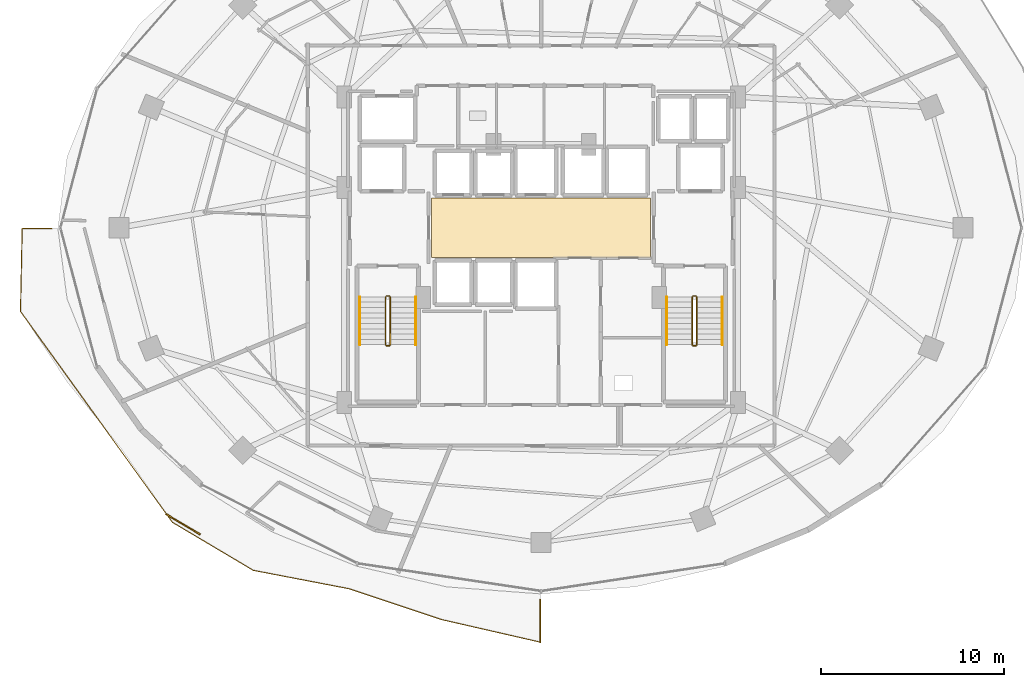
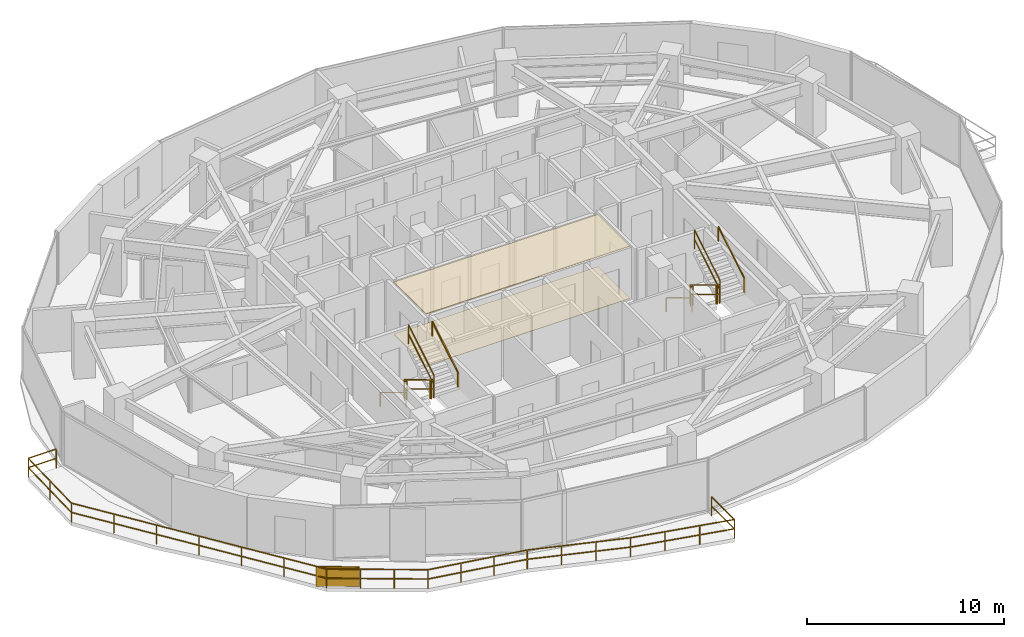
# One storey, part 29 of 31: 14 railings, 2 coverings, 1 shading device.
"""IFC4 building model written with IfcOpenShell, lengths in metres."""

from ifc_helpers import new_model, si_unit, direction, frame, origin, origin_2d, place, context, subcontext, project, spatial, polyline, rectangle, outline, extrude, material, layer, layer_set, type_object, element, save


model = new_model("IFC4")

# Units and contexts
model_context = context("Model", 3, precision=1e-05, world=origin(), true_north=direction((0.0, 1.0)))
body_context = subcontext(model_context, "Body", "Model", "MODEL_VIEW")
ifc_project = project(units=[si_unit("LENGTHUNIT", "METRE"), si_unit("AREAUNIT", "SQUARE_METRE"), si_unit("VOLUMEUNIT", "CUBIC_METRE"), si_unit("PLANEANGLEUNIT", "RADIAN"), si_unit("MASSUNIT", "GRAM", prefix="KILO")], contexts=[model_context])

# Site, building, storey
site_placement = place(None, origin())
site = spatial("IfcSite", under=ifc_project, at=site_placement, CompositionType="ELEMENT")
building_placement = place(site_placement, origin())
building = spatial("IfcBuilding", under=site, at=building_placement, Name="Vorneva Point Tower", CompositionType="ELEMENT")
storey_placement = place(building_placement, frame((0.0, 0.0, 99.800048828125)))
storey = spatial("IfcBuildingStorey", under=building, at=storey_placement, Name="L26", CompositionType="ELEMENT", Elevation=99.800048828125)

# Coverings
ifc_material_1 = material(Name="Perforated acoustic aluminium baffle ceiling", Category="aluminium")
ifc_layer_1 = layer(ifc_material_1, 0.030029296875)
ifc_layer_set_1 = layer_set([ifc_layer_1], Name="Perforated acoustic aluminium baffle ceiling")
covering_type_1 = type_object("IfcCoveringType", Name="COV-CEIL-BAF", PredefinedType="CEILING", material=ifc_layer_set_1)
covering_1_placement = place(storey_placement, frame((0.0, 0.0, 3.2099609375)))
element("IfcCovering", 1, at=covering_1_placement, inside=storey, type_object=covering_type_1, Name="L26 Lift Lobby Acoustic Baffle Ceiling", PredefinedType="CEILING", context=body_context, shape_type="SweptSolid", body=[
    extrude(outline(polyline([(32.02001953125, 24.3701171875), (43.97998046875, 24.3701171875), (43.97998046875, 27.6298828125), (32.02001953125, 27.6298828125), (32.02001953125, 24.3701171875)])), origin(), (0.0, 0.0, 1.0), 0.034912109375),
])
ifc_material_2 = material(Name="Acoustic wool hospitality carpet", Category="textile")
ifc_layer_2 = layer(ifc_material_2, 0.01806640625)
ifc_layer_set_2 = layer_set([ifc_layer_2], Name="Acoustic wool hospitality carpet")
covering_type_2 = type_object("IfcCoveringType", Name="COV-FLR-CRP", PredefinedType="FLOORING", material=ifc_layer_set_2)
covering_2_placement = place(storey_placement, frame((0.0, 0.0, -0.005126953125)))
element("IfcCovering", 2, at=covering_2_placement, inside=storey, type_object=covering_type_2, Name="L26 Lift Lobby Floor Finish", PredefinedType="FLOORING", context=body_context, shape_type="SweptSolid", body=[
    extrude(outline(polyline([(32.02001953125, 24.3701171875), (43.97998046875, 24.3701171875), (43.97998046875, 27.6298828125), (32.02001953125, 27.6298828125), (32.02001953125, 24.3701171875)])), origin(), (0.0, 0.0, 1.0), 0.023193359375),
])

# Railings
ifc_material_3 = material(Name="Pale anodised aluminium", Category="aluminium")
railing_type_1 = type_object("IfcRailingType", Name="RL-BAL-1200", PredefinedType="BALUSTRADE", material=ifc_material_3)
railing_1_placement = place(storey_placement, frame((37.949951171875, 3.361328125, 0.0)))
element("IfcRailing", 3, at=railing_1_placement, inside=storey, type_object=railing_type_1, Name="L26 Wave Balcony Balustrade SW.1", PredefinedType="BALUSTRADE", context=body_context, shape_type="SweptSolid", body=[
    extrude(rectangle(XDim=0.048095703125, YDim=0.048095703125, at=origin_2d()), frame((0.0, 0.0, 1.17578125), z_axis=(0.0, 1.0, 0.0), x_axis=(-1.0, 0.0, 0.0)), (0.0, 0.0, 1.0), 2.321533203125),
    extrude(rectangle(XDim=0.048095703125, YDim=0.048095703125, at=origin_2d()), frame((0.0, 0.0, 0.60009765625), z_axis=(0.0, 1.0, 0.0), x_axis=(-1.0, 0.0, 0.0)), (0.0, 0.0, 1.0), 2.321533203125),
    extrude(rectangle(XDim=0.0419921875, YDim=0.0419921875, at=origin_2d()), origin(), (0.0, 0.0, 1.0), 1.15185546875),
    extrude(rectangle(XDim=0.0419921875, YDim=0.0419921875, at=origin_2d()), frame((0.0, 2.321533203125, 0.0)), (0.0, 0.0, 1.0), 1.15185546875),
])
railing_2_placement = place(storey_placement, frame((11.28369140625, 25.949951171875, 0.0)))
element("IfcRailing", 4, at=railing_2_placement, inside=storey, type_object=railing_type_1, Name="L26 Wave Balcony Balustrade SW.2", PredefinedType="BALUSTRADE", context=body_context, shape_type="SweptSolid", body=[
    extrude(rectangle(XDim=0.048095703125, YDim=0.048095703125, at=origin_2d()), frame((0.0, 0.0, 1.17578125), z_axis=(-1.0, 0.0, 0.0), x_axis=(0.0, -1.0, 0.0)), (0.0, 0.0, 1.0), 1.634765625),
    extrude(rectangle(XDim=0.048095703125, YDim=0.048095703125, at=origin_2d()), frame((0.0, 0.0, 0.60009765625), z_axis=(-1.0, 0.0, 0.0), x_axis=(0.0, -1.0, 0.0)), (0.0, 0.0, 1.0), 1.634765625),
    extrude(rectangle(XDim=0.048095703125, YDim=0.048095703125, at=origin_2d()), frame((-1.634765625, 0.0, 1.17578125), z_axis=(-0.020299288543, -0.999793948214, 0.0), x_axis=(0.999793948214, -0.020299288543, 0.0)), (0.0, 0.0, 1.0), 4.522216796875),
    extrude(rectangle(XDim=0.048095703125, YDim=0.048095703125, at=origin_2d()), frame((-1.634765625, 0.0, 0.60009765625), z_axis=(-0.020299288543, -0.999793948214, 0.0), x_axis=(0.999793948214, -0.020299288543, 0.0)), (0.0, 0.0, 1.0), 4.522216796875),
    extrude(rectangle(XDim=0.048095703125, YDim=0.048095703125, at=origin_2d()), frame((-1.7265625, -4.521240234375, 1.17578125), z_axis=(0.58451761401, -0.811381019566, 0.0), x_axis=(0.811381019566, 0.58451761401, 0.0)), (0.0, 0.0, 1.0), 14.19775390625),
    extrude(rectangle(XDim=0.048095703125, YDim=0.048095703125, at=origin_2d()), frame((-1.7265625, -4.521240234375, 0.60009765625), z_axis=(0.58451761401, -0.811381019566, 0.0), x_axis=(0.811381019566, 0.58451761401, 0.0)), (0.0, 0.0, 1.0), 14.19775390625),
    extrude(rectangle(XDim=0.048095703125, YDim=0.048095703125, at=origin_2d()), frame((6.572265625, -16.041015625, 1.17578125), z_axis=(0.859813701546, -0.510607871692, 0.0), x_axis=(0.510607871692, 0.859813701546, 0.0)), (0.0, 0.0, 1.0), 5.141357421875),
    extrude(rectangle(XDim=0.048095703125, YDim=0.048095703125, at=origin_2d()), frame((6.572265625, -16.041015625, 0.60009765625), z_axis=(0.859813701546, -0.510607871692, 0.0), x_axis=(0.510607871692, 0.859813701546, 0.0)), (0.0, 0.0, 1.0), 5.141357421875),
    extrude(rectangle(XDim=0.048095703125, YDim=0.048095703125, at=origin_2d()), frame((10.992919921875, -18.666259765625, 1.17578125), z_axis=(0.982038802022, -0.18867906965, 0.0), x_axis=(0.18867906965, 0.982038802022, 0.0)), (0.0, 0.0, 1.0), 5.325927734375),
    extrude(rectangle(XDim=0.048095703125, YDim=0.048095703125, at=origin_2d()), frame((10.992919921875, -18.666259765625, 0.60009765625), z_axis=(0.982038802022, -0.18867906965, 0.0), x_axis=(0.18867906965, 0.982038802022, 0.0)), (0.0, 0.0, 1.0), 5.325927734375),
    extrude(rectangle(XDim=0.048095703125, YDim=0.048095703125, at=origin_2d()), frame((16.22314453125, -19.671142578125, 1.17578125), z_axis=(0.948856695911, -0.315707096252, 0.0), x_axis=(0.315707096252, 0.948856695911, 0.0)), (0.0, 0.0, 1.0), 5.345947265625),
    extrude(rectangle(XDim=0.048095703125, YDim=0.048095703125, at=origin_2d()), frame((16.22314453125, -19.671142578125, 0.60009765625), z_axis=(0.948856695911, -0.315707096252, 0.0), x_axis=(0.315707096252, 0.948856695911, 0.0)), (0.0, 0.0, 1.0), 5.345947265625),
    extrude(rectangle(XDim=0.048095703125, YDim=0.048095703125, at=origin_2d()), frame((21.295654296875, -21.35888671875, 1.17578125), z_axis=(0.974772904906, -0.22319897818, 0.0), x_axis=(0.22319897818, 0.974772904906, 0.0)), (0.0, 0.0, 1.0), 5.509521484375),
    extrude(rectangle(XDim=0.048095703125, YDim=0.048095703125, at=origin_2d()), frame((21.295654296875, -21.35888671875, 0.60009765625), z_axis=(0.974772904906, -0.22319897818, 0.0), x_axis=(0.22319897818, 0.974772904906, 0.0)), (0.0, 0.0, 1.0), 5.509521484375),
    extrude(rectangle(XDim=0.0419921875, YDim=0.0419921875, at=origin_2d()), origin(), (0.0, 0.0, 1.0), 1.15185546875),
    extrude(rectangle(XDim=0.0419921875, YDim=0.0419921875, at=origin_2d()), frame((-1.634765625, 0.0, 0.0)), (0.0, 0.0, 1.0), 1.15185546875),
    extrude(rectangle(XDim=0.0419921875, YDim=0.0419921875, at=origin_2d()), frame((-1.6806640625, -2.2607421875, 0.0)), (0.0, 0.0, 1.0), 1.15185546875),
    extrude(rectangle(XDim=0.0419921875, YDim=0.0419921875, at=origin_2d()), frame((-1.7265625, -4.521240234375, 0.0)), (0.0, 0.0, 1.0), 1.15185546875),
    extrude(rectangle(XDim=0.0419921875, YDim=0.0419921875, at=origin_2d()), frame((-0.343505859375, -6.441162109375, 0.0)), (0.0, 0.0, 1.0), 1.15185546875),
    extrude(rectangle(XDim=0.0419921875, YDim=0.0419921875, at=origin_2d()), frame((1.039794921875, -8.361083984375, 0.0)), (0.0, 0.0, 1.0), 1.15185546875),
    extrude(rectangle(XDim=0.0419921875, YDim=0.0419921875, at=origin_2d()), frame((2.4228515625, -10.28125, 0.0)), (0.0, 0.0, 1.0), 1.15185546875),
    extrude(rectangle(XDim=0.0419921875, YDim=0.0419921875, at=origin_2d()), frame((3.805908203125, -12.201171875, 0.0)), (0.0, 0.0, 1.0), 1.15185546875),
    extrude(rectangle(XDim=0.0419921875, YDim=0.0419921875, at=origin_2d()), frame((5.189208984375, -14.12109375, 0.0)), (0.0, 0.0, 1.0), 1.15185546875),
    extrude(rectangle(XDim=0.0419921875, YDim=0.0419921875, at=origin_2d()), frame((6.572265625, -16.041015625, 0.0)), (0.0, 0.0, 1.0), 1.15185546875),
    extrude(rectangle(XDim=0.0419921875, YDim=0.0419921875, at=origin_2d()), frame((8.0458984375, -16.916015625, 0.0)), (0.0, 0.0, 1.0), 1.15185546875),
    extrude(rectangle(XDim=0.0419921875, YDim=0.0419921875, at=origin_2d()), frame((9.519287109375, -17.791259765625, 0.0)), (0.0, 0.0, 1.0), 1.15185546875),
    extrude(rectangle(XDim=0.0419921875, YDim=0.0419921875, at=origin_2d()), frame((10.992919921875, -18.666259765625, 0.0)), (0.0, 0.0, 1.0), 1.15185546875),
    extrude(rectangle(XDim=0.0419921875, YDim=0.0419921875, at=origin_2d()), frame((12.736328125, -19.001220703125, 0.0)), (0.0, 0.0, 1.0), 1.15185546875),
    extrude(rectangle(XDim=0.0419921875, YDim=0.0419921875, at=origin_2d()), frame((14.479736328125, -19.336181640625, 0.0)), (0.0, 0.0, 1.0), 1.15185546875),
    extrude(rectangle(XDim=0.0419921875, YDim=0.0419921875, at=origin_2d()), frame((16.22314453125, -19.671142578125, 0.0)), (0.0, 0.0, 1.0), 1.15185546875),
    extrude(rectangle(XDim=0.0419921875, YDim=0.0419921875, at=origin_2d()), frame((17.9140625, -20.233642578125, 0.0)), (0.0, 0.0, 1.0), 1.15185546875),
    extrude(rectangle(XDim=0.0419921875, YDim=0.0419921875, at=origin_2d()), frame((19.604736328125, -20.79638671875, 0.0)), (0.0, 0.0, 1.0), 1.15185546875),
    extrude(rectangle(XDim=0.0419921875, YDim=0.0419921875, at=origin_2d()), frame((21.295654296875, -21.35888671875, 0.0)), (0.0, 0.0, 1.0), 1.15185546875),
    extrude(rectangle(XDim=0.0419921875, YDim=0.0419921875, at=origin_2d()), frame((23.0859375, -21.768798828125, 0.0)), (0.0, 0.0, 1.0), 1.15185546875),
    extrude(rectangle(XDim=0.0419921875, YDim=0.0419921875, at=origin_2d()), frame((24.8759765625, -22.1787109375, 0.0)), (0.0, 0.0, 1.0), 1.15185546875),
    extrude(rectangle(XDim=0.0419921875, YDim=0.0419921875, at=origin_2d()), frame((26.666259765625, -22.588623046875, 0.0)), (0.0, 0.0, 1.0), 1.15185546875),
])
ifc_material_4 = material(Name="Brushed stainless steel S304", Category="steel")
railing_type_2 = type_object("IfcRailingType", Name="RL-HND-920", PredefinedType="HANDRAIL", material=ifc_material_4)
railing_3_placement = place(storey_placement, frame((28.10009765625, 22.219970703125, 0.175048828125)))
element("IfcRailing", 5, at=railing_3_placement, inside=storey, type_object=railing_type_2, Name="L26 ST1 stair handrail 1", PredefinedType="HANDRAIL", context=body_context, shape_type="SweptSolid", body=[
    extrude(rectangle(XDim=0.048095703125, YDim=0.048095703125, at=origin_2d()), frame((0.0, 0.0, 0.8759765625), z_axis=(0.0, -0.85618277418, 0.516673066065), x_axis=(1.0, 0.0, 0.0)), (0.0, 0.0, 1.0), 3.04833984375),
    extrude(rectangle(XDim=0.0419921875, YDim=0.0419921875, at=origin_2d()), origin(), (0.0, 0.0, 1.0), 0.851806640625),
    extrude(rectangle(XDim=0.0419921875, YDim=0.0419921875, at=origin_2d()), frame((0.0, -2.60986328125, 1.574951171875)), (0.0, 0.0, 1.0), 0.851806640625),
])
railing_4_placement = place(storey_placement, frame((31.14990234375, 19.610107421875, 1.925048828125)))
element("IfcRailing", 6, at=railing_4_placement, inside=storey, type_object=railing_type_2, Name="L26 ST1 stair handrail 2", PredefinedType="HANDRAIL", context=body_context, shape_type="SweptSolid", body=[
    extrude(rectangle(XDim=0.048095703125, YDim=0.048095703125, at=origin_2d()), frame((0.0, 0.0, 0.8759765625), z_axis=(0.0, 0.85618277418, 0.516673066065), x_axis=(-1.0, 0.0, 0.0)), (0.0, 0.0, 1.0), 3.04833984375),
    extrude(rectangle(XDim=0.0419921875, YDim=0.0419921875, at=origin_2d()), origin(), (0.0, 0.0, 1.0), 0.851806640625),
    extrude(rectangle(XDim=0.0419921875, YDim=0.0419921875, at=origin_2d()), frame((0.0, 2.60986328125, 1.574951171875)), (0.0, 0.0, 1.0), 0.851806640625),
])
railing_5_placement = place(storey_placement, frame((44.85009765625, 22.219970703125, 0.175048828125)))
element("IfcRailing", 7, at=railing_5_placement, inside=storey, type_object=railing_type_2, Name="L26 ST2 stair handrail 1", PredefinedType="HANDRAIL", context=body_context, shape_type="SweptSolid", body=[
    extrude(rectangle(XDim=0.048095703125, YDim=0.048095703125, at=origin_2d()), frame((0.0, 0.0, 0.8759765625), z_axis=(0.0, -0.85618277418, 0.516673066065), x_axis=(1.0, 0.0, 0.0)), (0.0, 0.0, 1.0), 3.04833984375),
    extrude(rectangle(XDim=0.0419921875, YDim=0.0419921875, at=origin_2d()), origin(), (0.0, 0.0, 1.0), 0.851806640625),
    extrude(rectangle(XDim=0.0419921875, YDim=0.0419921875, at=origin_2d()), frame((0.0, -2.60986328125, 1.574951171875)), (0.0, 0.0, 1.0), 0.851806640625),
])
railing_6_placement = place(storey_placement, frame((47.89990234375, 19.610107421875, 1.925048828125)))
element("IfcRailing", 8, at=railing_6_placement, inside=storey, type_object=railing_type_2, Name="L26 ST2 stair handrail 2", PredefinedType="HANDRAIL", context=body_context, shape_type="SweptSolid", body=[
    extrude(rectangle(XDim=0.048095703125, YDim=0.048095703125, at=origin_2d()), frame((0.0, 0.0, 0.8759765625), z_axis=(0.0, 0.85618277418, 0.516673066065), x_axis=(-1.0, 0.0, 0.0)), (0.0, 0.0, 1.0), 3.04833984375),
    extrude(rectangle(XDim=0.0419921875, YDim=0.0419921875, at=origin_2d()), origin(), (0.0, 0.0, 1.0), 0.851806640625),
    extrude(rectangle(XDim=0.0419921875, YDim=0.0419921875, at=origin_2d()), frame((0.0, 2.60986328125, 1.574951171875)), (0.0, 0.0, 1.0), 0.851806640625),
])
railing_type_3 = type_object("IfcRailingType", Name="RL-STG-1100", PredefinedType="GUARDRAIL", material=ifc_material_4)
railing_7_placement = place(storey_placement, frame((29.5, 22.219970703125, 0.175048828125)))
element("IfcRailing", 9, at=railing_7_placement, inside=storey, type_object=railing_type_3, Name="L26 ST1 stair guard 1", PredefinedType="GUARDRAIL", context=body_context, shape_type="SweptSolid", body=[
    extrude(rectangle(XDim=0.048095703125, YDim=0.048095703125, at=origin_2d()), frame((0.0, 0.0, 1.17578125), z_axis=(0.0, -0.85618277418, 0.516673066065), x_axis=(1.0, 0.0, 0.0)), (0.0, 0.0, 1.0), 3.04833984375),
    extrude(rectangle(XDim=0.048095703125, YDim=0.048095703125, at=origin_2d()), frame((0.0, 0.0, 0.60009765625), z_axis=(0.0, -0.85618277418, 0.516673066065), x_axis=(1.0, 0.0, 0.0)), (0.0, 0.0, 1.0), 3.04833984375),
    extrude(rectangle(XDim=0.0419921875, YDim=0.0419921875, at=origin_2d()), origin(), (0.0, 0.0, 1.0), 1.15185546875),
    extrude(rectangle(XDim=0.0419921875, YDim=0.0419921875, at=origin_2d()), frame((0.0, -2.60986328125, 1.574951171875)), (0.0, 0.0, 1.0), 1.15185546875),
])
railing_8_placement = place(storey_placement, frame((29.550048828125, 19.56005859375, 1.75)))
element("IfcRailing", 10, at=railing_8_placement, inside=storey, type_object=railing_type_3, Name="L26 ST1 stair guard 2", PredefinedType="GUARDRAIL", context=body_context, shape_type="SweptSolid", body=[
    extrude(rectangle(XDim=0.048095703125, YDim=0.048095703125, at=origin_2d()), frame((0.0, 0.0, 1.17578125), z_axis=(1.0, 0.0, 0.0), x_axis=(0.0, 1.0, 0.0)), (0.0, 0.0, 1.0), 0.14990234375),
    extrude(rectangle(XDim=0.048095703125, YDim=0.048095703125, at=origin_2d()), frame((0.0, 0.0, 0.60009765625), z_axis=(1.0, 0.0, 0.0), x_axis=(0.0, 1.0, 0.0)), (0.0, 0.0, 1.0), 0.14990234375),
    extrude(rectangle(XDim=0.0419921875, YDim=0.0419921875, at=origin_2d()), origin(), (0.0, 0.0, 1.0), 1.15185546875),
    extrude(rectangle(XDim=0.0419921875, YDim=0.0419921875, at=origin_2d()), frame((0.14990234375, 0.0, 0.0)), (0.0, 0.0, 1.0), 1.15185546875),
])
railing_9_placement = place(storey_placement, frame((29.75, 19.610107421875, 1.925048828125)))
element("IfcRailing", 11, at=railing_9_placement, inside=storey, type_object=railing_type_3, Name="L26 ST1 stair guard 3", PredefinedType="GUARDRAIL", context=body_context, shape_type="SweptSolid", body=[
    extrude(rectangle(XDim=0.048095703125, YDim=0.048095703125, at=origin_2d()), frame((0.0, 0.0, 1.17578125), z_axis=(0.0, 0.85618277418, 0.516673066065), x_axis=(-1.0, 0.0, 0.0)), (0.0, 0.0, 1.0), 3.04833984375),
    extrude(rectangle(XDim=0.048095703125, YDim=0.048095703125, at=origin_2d()), frame((0.0, 0.0, 0.60009765625), z_axis=(0.0, 0.85618277418, 0.516673066065), x_axis=(-1.0, 0.0, 0.0)), (0.0, 0.0, 1.0), 3.04833984375),
    extrude(rectangle(XDim=0.0419921875, YDim=0.0419921875, at=origin_2d()), origin(), (0.0, 0.0, 1.0), 1.15185546875),
    extrude(rectangle(XDim=0.0419921875, YDim=0.0419921875, at=origin_2d()), frame((0.0, 2.60986328125, 1.574951171875)), (0.0, 0.0, 1.0), 1.15185546875),
])
railing_10_placement = place(storey_placement, frame((29.550048828125, 22.27001953125, 0.0)))
element("IfcRailing", 12, at=railing_10_placement, inside=storey, type_object=railing_type_3, Name="L26 ST1 stair guard 4", PredefinedType="GUARDRAIL", context=body_context, shape_type="SweptSolid", body=[
    extrude(rectangle(XDim=0.048095703125, YDim=0.048095703125, at=origin_2d()), frame((0.0, 0.0, 1.17578125), z_axis=(1.0, 0.0, 0.0), x_axis=(0.0, 1.0, 0.0)), (0.0, 0.0, 1.0), 0.14990234375),
    extrude(rectangle(XDim=0.048095703125, YDim=0.048095703125, at=origin_2d()), frame((0.0, 0.0, 0.60009765625), z_axis=(1.0, 0.0, 0.0), x_axis=(0.0, 1.0, 0.0)), (0.0, 0.0, 1.0), 0.14990234375),
    extrude(rectangle(XDim=0.0419921875, YDim=0.0419921875, at=origin_2d()), origin(), (0.0, 0.0, 1.0), 1.15185546875),
    extrude(rectangle(XDim=0.0419921875, YDim=0.0419921875, at=origin_2d()), frame((0.14990234375, 0.0, 0.0)), (0.0, 0.0, 1.0), 1.15185546875),
])
railing_11_placement = place(storey_placement, frame((46.25, 22.219970703125, 0.175048828125)))
element("IfcRailing", 13, at=railing_11_placement, inside=storey, type_object=railing_type_3, Name="L26 ST2 stair guard 1", PredefinedType="GUARDRAIL", context=body_context, shape_type="SweptSolid", body=[
    extrude(rectangle(XDim=0.048095703125, YDim=0.048095703125, at=origin_2d()), frame((0.0, 0.0, 1.17578125), z_axis=(0.0, -0.85618277418, 0.516673066065), x_axis=(1.0, 0.0, 0.0)), (0.0, 0.0, 1.0), 3.04833984375),
    extrude(rectangle(XDim=0.048095703125, YDim=0.048095703125, at=origin_2d()), frame((0.0, 0.0, 0.60009765625), z_axis=(0.0, -0.85618277418, 0.516673066065), x_axis=(1.0, 0.0, 0.0)), (0.0, 0.0, 1.0), 3.04833984375),
    extrude(rectangle(XDim=0.0419921875, YDim=0.0419921875, at=origin_2d()), origin(), (0.0, 0.0, 1.0), 1.15185546875),
    extrude(rectangle(XDim=0.0419921875, YDim=0.0419921875, at=origin_2d()), frame((0.0, -2.60986328125, 1.574951171875)), (0.0, 0.0, 1.0), 1.15185546875),
])
railing_12_placement = place(storey_placement, frame((46.300048828125, 19.56005859375, 1.75)))
element("IfcRailing", 14, at=railing_12_placement, inside=storey, type_object=railing_type_3, Name="L26 ST2 stair guard 2", PredefinedType="GUARDRAIL", context=body_context, shape_type="SweptSolid", body=[
    extrude(rectangle(XDim=0.048095703125, YDim=0.048095703125, at=origin_2d()), frame((0.0, 0.0, 1.17578125), z_axis=(1.0, 0.0, 0.0), x_axis=(0.0, 1.0, 0.0)), (0.0, 0.0, 1.0), 0.14990234375),
    extrude(rectangle(XDim=0.048095703125, YDim=0.048095703125, at=origin_2d()), frame((0.0, 0.0, 0.60009765625), z_axis=(1.0, 0.0, 0.0), x_axis=(0.0, 1.0, 0.0)), (0.0, 0.0, 1.0), 0.14990234375),
    extrude(rectangle(XDim=0.0419921875, YDim=0.0419921875, at=origin_2d()), origin(), (0.0, 0.0, 1.0), 1.15185546875),
    extrude(rectangle(XDim=0.0419921875, YDim=0.0419921875, at=origin_2d()), frame((0.14990234375, 0.0, 0.0)), (0.0, 0.0, 1.0), 1.15185546875),
])
railing_13_placement = place(storey_placement, frame((46.5, 19.610107421875, 1.925048828125)))
element("IfcRailing", 15, at=railing_13_placement, inside=storey, type_object=railing_type_3, Name="L26 ST2 stair guard 3", PredefinedType="GUARDRAIL", context=body_context, shape_type="SweptSolid", body=[
    extrude(rectangle(XDim=0.048095703125, YDim=0.048095703125, at=origin_2d()), frame((0.0, 0.0, 1.17578125), z_axis=(0.0, 0.85618277418, 0.516673066065), x_axis=(-1.0, 0.0, 0.0)), (0.0, 0.0, 1.0), 3.04833984375),
    extrude(rectangle(XDim=0.048095703125, YDim=0.048095703125, at=origin_2d()), frame((0.0, 0.0, 0.60009765625), z_axis=(0.0, 0.85618277418, 0.516673066065), x_axis=(-1.0, 0.0, 0.0)), (0.0, 0.0, 1.0), 3.04833984375),
    extrude(rectangle(XDim=0.0419921875, YDim=0.0419921875, at=origin_2d()), origin(), (0.0, 0.0, 1.0), 1.15185546875),
    extrude(rectangle(XDim=0.0419921875, YDim=0.0419921875, at=origin_2d()), frame((0.0, 2.60986328125, 1.574951171875)), (0.0, 0.0, 1.0), 1.15185546875),
])
railing_14_placement = place(storey_placement, frame((46.300048828125, 22.27001953125, 0.0)))
element("IfcRailing", 16, at=railing_14_placement, inside=storey, type_object=railing_type_3, Name="L26 ST2 stair guard 4", PredefinedType="GUARDRAIL", context=body_context, shape_type="SweptSolid", body=[
    extrude(rectangle(XDim=0.048095703125, YDim=0.048095703125, at=origin_2d()), frame((0.0, 0.0, 1.17578125), z_axis=(1.0, 0.0, 0.0), x_axis=(0.0, 1.0, 0.0)), (0.0, 0.0, 1.0), 0.14990234375),
    extrude(rectangle(XDim=0.048095703125, YDim=0.048095703125, at=origin_2d()), frame((0.0, 0.0, 0.60009765625), z_axis=(1.0, 0.0, 0.0), x_axis=(0.0, 1.0, 0.0)), (0.0, 0.0, 1.0), 0.14990234375),
    extrude(rectangle(XDim=0.0419921875, YDim=0.0419921875, at=origin_2d()), origin(), (0.0, 0.0, 1.0), 1.15185546875),
    extrude(rectangle(XDim=0.0419921875, YDim=0.0419921875, at=origin_2d()), frame((0.14990234375, 0.0, 0.0)), (0.0, 0.0, 1.0), 1.15185546875),
])

# Shading device
shading_device_type = type_object("IfcShadingDeviceType", Name="SHD-JAL-1200", PredefinedType="JALOUSIE", material=ifc_material_3)
shading_device_placement = place(storey_placement, frame((18.4365234375, 9.80517578125, -0.02001953125), z_axis=(0.0, 0.0, 1.0), x_axis=(0.859816626882, -0.51060294568, 0.0)))
element("IfcShadingDevice", 17, at=shading_device_placement, inside=storey, type_object=shading_device_type, Name="L26 Balcony Vertical-Greenery Planter Screen SW.2", PredefinedType="JALOUSIE", context=body_context, shape_type="SweptSolid", body=[
    extrude(rectangle(XDim=2.199951171875, YDim=0.080078125, at=origin_2d()), origin(), (0.0, 0.0, 1.0), 1.199951171875),
])

save(model, "model.ifc")
